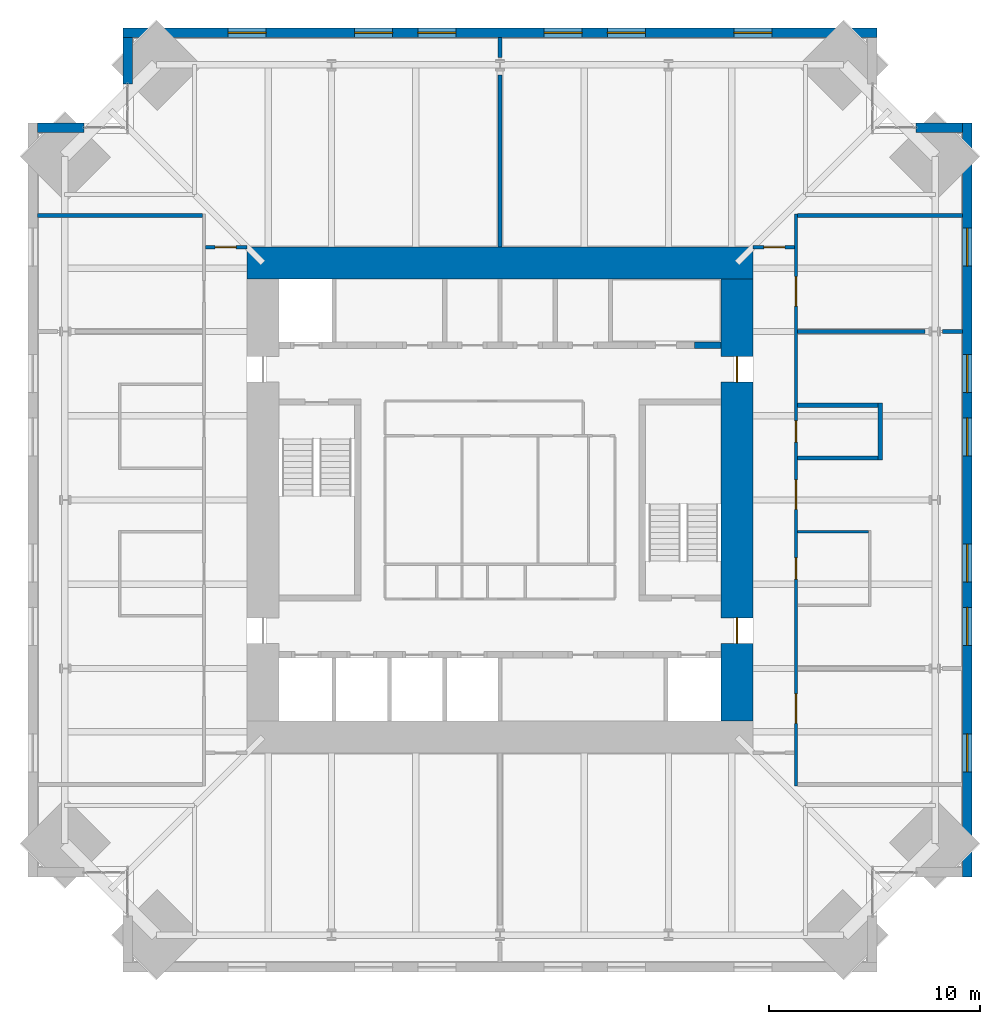
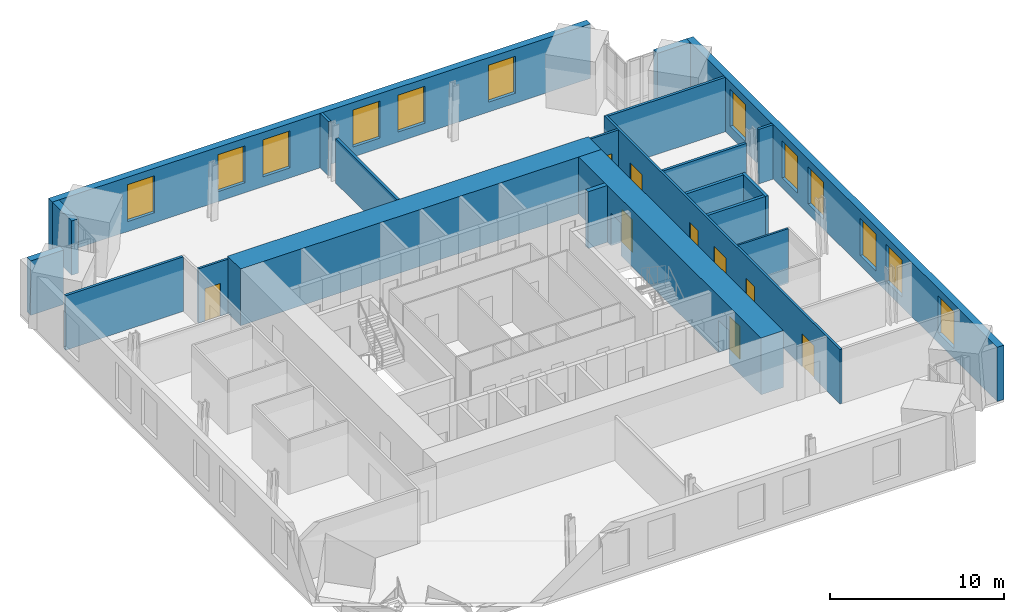
# One storey, part 15 of 17: 21 walls, 12 windows, 9 doors, 21 openings.
"""IFC4 building model written with IfcOpenShell, lengths in metres."""

import ifcopenshell
import ifcopenshell.guid

model = None  # the IFC model being written
_history = None  # IfcOwnerHistory: only IFC2X3 demands one
_inside = {}  # id of a spatial element -> (the spatial element, [elements in it])
_under = {}  # id of a project, library or spatial element -> (it, [spatial elements below it])
_declared = {}  # id of a project -> (the project, [libraries it declares])
_typed = {}  # id of a type object -> (the type object, [elements of that type])
_made_of = {}  # id of a material, layer set ... -> (it, [elements and type objects made of it])


def new_model(schema):
    """Start an empty IFC model of exactly this schema.

    Asked for "IFC4X3", IfcOpenShell would pick the latest addendum, in which some entities
    have other attributes; the version numbers below select the first issue.
    IFC2X3 requires an IfcOwnerHistory on every rooted entity: one is made here for all.
    """
    global model, _history
    if schema == "IFC4X3":
        model = ifcopenshell.file(schema_version=(4, 3, 0, 0))
    else:
        model = ifcopenshell.file(schema=schema)
    _inside.clear()
    _under.clear()
    _declared.clear()
    _typed.clear()
    _made_of.clear()
    _history = None
    if model.schema == "IFC2X3":
        org = make("IfcOrganization", Name="unknown")
        user = make(
            "IfcPersonAndOrganization",
            ThePerson=make("IfcPerson", FamilyName="unknown"),
            TheOrganization=org,
        )
        app = make(
            "IfcApplication",
            ApplicationDeveloper=org,
            Version="unknown",
            ApplicationFullName="unknown",
            ApplicationIdentifier="unknown",
        )
        _history = make(
            "IfcOwnerHistory",
            OwningUser=user,
            OwningApplication=app,
            ChangeAction="ADDED",
            CreationDate=0,
        )
    return model


def make(cls, **values):
    """One entity of the class cls with the attributes given. An attribute that is None is left unset."""
    return model.create_entity(
        cls, **{name: value for name, value in values.items() if value is not None}
    )


def rooted(cls, **values):
    """An entity with a GlobalId (a new one), such as an element, a storey or a relation."""
    return make(cls, GlobalId=ifcopenshell.guid.new(), OwnerHistory=_history, **values)


def si_unit(unit_type, name, prefix=None):
    """IfcSIUnit, for example si_unit("LENGTHUNIT", "METRE", prefix="MILLI")."""
    return make("IfcSIUnit", UnitType=unit_type, Prefix=prefix, Name=name)


def assignment(units):
    """IfcUnitAssignment: the units of a project."""
    return None if units is None else make("IfcUnitAssignment", Units=units)


def point(xyz):
    """IfcCartesianPoint."""
    return None if xyz is None else make("IfcCartesianPoint", Coordinates=xyz)


def direction(xyz):
    """IfcDirection."""
    return None if xyz is None else make("IfcDirection", DirectionRatios=xyz)


def frame(location, z_axis=None, x_axis=None):
    """IfcAxis2Placement3D, a coordinate frame: its origin and axes. An axis left out is left unset."""
    return make(
        "IfcAxis2Placement3D",
        Location=point(location),
        Axis=direction(z_axis),
        RefDirection=direction(x_axis),
    )


def frame_2d(location, x_axis=None):
    """IfcAxis2Placement2D, a coordinate frame in the plane: its origin and x axis."""
    return make(
        "IfcAxis2Placement2D", Location=point(location), RefDirection=direction(x_axis)
    )


def origin():
    """The frame at (0, 0, 0) with its axes left unset."""
    return frame((0.0, 0.0, 0.0))


def place(relative_to, where):
    """IfcLocalPlacement: puts the frame where relative to a parent placement (None: the world)."""
    return make(
        "IfcLocalPlacement", PlacementRelTo=relative_to, RelativePlacement=where
    )


def context(
    kind, dimensions, precision=None, world=None, true_north=None, identifier=None
):
    """IfcGeometricRepresentationContext, for example the 3D "Model" context."""
    return make(
        "IfcGeometricRepresentationContext",
        ContextIdentifier=identifier,
        ContextType=kind,
        CoordinateSpaceDimension=dimensions,
        Precision=precision,
        WorldCoordinateSystem=world,
        TrueNorth=true_north,
    )


def subcontext(parent, identifier, kind, view, scale=None):
    """IfcGeometricRepresentationSubContext, for example "Body" below "Model"."""
    return make(
        "IfcGeometricRepresentationSubContext",
        ContextIdentifier=identifier,
        ContextType=kind,
        ParentContext=parent,
        TargetScale=scale,
        TargetView=view,
    )


def project(units=None, contexts=None):
    """IfcProject with its units and contexts."""
    return rooted(
        "IfcProject",
        Name="project",
        RepresentationContexts=contexts,
        UnitsInContext=assignment(units),
    )


def spatial(cls, under=None, at=None, **own):
    """A site, building, storey or space (cls), placed at a placement, below another one or the project."""
    s = rooted(cls, ObjectPlacement=at, **own)
    if under is not None:
        _under.setdefault(under.id(), (under, []))[1].append(s)
    return s


def profile(cls, at=None, kind="AREA", **sizes):
    """A parametric profile (cls). Its sizes go by their IFC names, for example OverallWidth=200.0."""
    return make(cls, ProfileType=kind, Position=at, **sizes)


def rectangle(**sizes):
    """IfcRectangleProfileDef."""
    return profile("IfcRectangleProfileDef", **sizes)


def extrude(swept, where, along, depth):
    """IfcExtrudedAreaSolid: the profile swept, set in the frame where, extruded along a direction by depth."""
    return make(
        "IfcExtrudedAreaSolid",
        SweptArea=swept,
        Position=where,
        ExtrudedDirection=direction(along),
        Depth=depth,
    )


def shape(context_of_items, identifier, shape_type, items):
    """IfcShapeRepresentation: the items that make up one representation, for example the "Body"."""
    return make(
        "IfcShapeRepresentation",
        ContextOfItems=context_of_items,
        RepresentationIdentifier=identifier,
        RepresentationType=shape_type,
        Items=items,
    )


def material(Name=None, Category=None):
    """IfcMaterial."""
    return make("IfcMaterial", Name=Name, Category=Category)


def layer(
    of_material, thickness, ventilated=None, Name=None, Category=None, Priority=None
):
    """IfcMaterialLayer: one layer of a wall or slab, of a material (None: an air gap)."""
    return make(
        "IfcMaterialLayer",
        Material=of_material,
        LayerThickness=thickness,
        IsVentilated=ventilated,
        Name=Name,
        Category=Category,
        Priority=Priority,
    )


def layer_set(layers, Name=None):
    """IfcMaterialLayerSet."""
    return make("IfcMaterialLayerSet", MaterialLayers=layers, LayerSetName=Name)


def made_of(thing, what):
    """Note that an element or type object is made of a material, layer set ...; save() writes the relation."""
    if what is not None:
        _made_of.setdefault(what.id(), (what, []))[1].append(thing)
    return thing


def type_object(cls, material=None, **own):
    """A type object (cls), such as IfcWallType, which elements share."""
    return made_of(rooted(cls, **own), material)


def element(
    cls,
    number,
    at=None,
    inside=None,
    cuts=None,
    type_object=None,
    material=None,
    context=None,
    identifier="Body",
    shape_type=None,
    held_by="IfcProductDefinitionShape",
    body=None,
    shapes=None,
    **own,
):
    """One element of the class cls, such as IfcWall. Its Tag is "e" and its number.

    at: its placement. inside: the storey or other place that contains it. cuts: it is an
    opening in that element (IfcRelVoidsElement). A single representation is given by context,
    identifier, shape_type and body (its items); several are given by shapes. held_by: the class
    of the entity that holds the representations. save() writes the other relations.
    """
    e = rooted(cls, Tag="e%d" % number, ObjectPlacement=at, **own)
    if body is not None:
        shapes = [shape(context, identifier, shape_type, body)]
    if shapes is not None:
        e.Representation = make(held_by, Representations=shapes)
    if inside is not None:
        _inside.setdefault(inside.id(), (inside, []))[1].append(e)
    if cuts is not None:
        rooted(
            "IfcRelVoidsElement", RelatingBuildingElement=cuts, RelatedOpeningElement=e
        )
    if type_object is not None:
        _typed.setdefault(type_object.id(), (type_object, []))[1].append(e)
    return made_of(e, material)


def fill(opening, filler):
    """IfcRelFillsElement: the door or window that sits in an opening."""
    return rooted(
        "IfcRelFillsElement",
        RelatingOpeningElement=opening,
        RelatedBuildingElement=filler,
    )


def aggregate(whole, parts):
    """IfcRelAggregates: a whole, such as a stair, and the parts it consists of."""
    return rooted("IfcRelAggregates", RelatingObject=whole, RelatedObjects=parts)


def save(model, path):
    """Write the relations noted so far, then the file.

    IfcRelAggregates (storeys below a building ...), IfcRelContainedInSpatialStructure (elements
    in a storey), IfcRelDefinesByType, IfcRelAssociatesMaterial and IfcRelDeclares: one each for
    every whole, place, type object, material and project.
    """
    for whole, parts in _under.values():
        aggregate(whole, parts)
    for where, things in _inside.values():
        rooted(
            "IfcRelContainedInSpatialStructure",
            RelatedElements=things,
            RelatingStructure=where,
        )
    for kind, things in _typed.values():
        rooted("IfcRelDefinesByType", RelatedObjects=things, RelatingType=kind)
    for what, things in _made_of.values():
        rooted("IfcRelAssociatesMaterial", RelatedObjects=things, RelatingMaterial=what)
    for by, libraries in _declared.values():
        rooted("IfcRelDeclares", RelatingContext=by, RelatedDefinitions=libraries)
    model.write(path)


model = new_model("IFC4")

# Units and contexts
model_context = context("Model", 3, precision=1e-05, world=origin(), true_north=direction((0.0, 1.0)))
body_context = subcontext(model_context, "Body", "Model", "MODEL_VIEW")
ifc_project = project(units=[si_unit("LENGTHUNIT", "METRE"), si_unit("AREAUNIT", "SQUARE_METRE"), si_unit("VOLUMEUNIT", "CUBIC_METRE"), si_unit("PLANEANGLEUNIT", "RADIAN"), si_unit("MASSUNIT", "GRAM", prefix="KILO")], contexts=[model_context])

# Site, building, storey
site_placement = place(None, origin())
site = spatial("IfcSite", under=ifc_project, at=site_placement, CompositionType="ELEMENT")
building_placement = place(site_placement, origin())
building = spatial("IfcBuilding", under=site, at=building_placement, Name="Peilmerk Tower", CompositionType="ELEMENT")
storey_placement = place(building_placement, frame((0.0, 0.0, 253.800048828125)))
storey = spatial("IfcBuildingStorey", under=building, at=storey_placement, Name="L56", CompositionType="ELEMENT", Elevation=253.800048828125)

# Wall, openings, windows
ifc_material_1 = material(Name="Precast concrete C45/55, board-marked finish", Category="concrete")
ifc_layer_1 = layer(ifc_material_1, 0.449951171875)
ifc_layer_set_1 = layer_set([ifc_layer_1], Name="Precast concrete C45/55, board-marked finish")
wall_type_1 = type_object("IfcWallType", Name="EW1 450 precast concrete facade wall, board-marked", PredefinedType="SOLIDWALL", material=ifc_layer_set_1)
wall_1_placement = place(storey_placement, frame((17.89990234375, 22.175048828125, 0.0), z_axis=(0.0, 0.0, 1.0), x_axis=(-1.0, 0.0, 0.0)))
wall_1 = element("IfcWall", 1, at=wall_1_placement, inside=storey, type_object=wall_type_1, Name="Facade wall N L56", PredefinedType="SOLIDWALL", context=body_context, shape_type="SweptSolid", body=[
    extrude(rectangle(XDim=35.7998046875, YDim=0.449951171875, at=frame_2d((17.89990234375, 0.0))), origin(), (0.0, 0.0, 1.0), 3.829833984375),
])
opening_1_placement = place(wall_1_placement, frame((5.0, 0.0, 0.699951171875)))
opening_1 = element("IfcOpeningElement", 2, at=opening_1_placement, cuts=wall_1, Name="Opening W1", PredefinedType="OPENING", context=body_context, shape_type="SweptSolid", body=[
    extrude(rectangle(XDim=1.800048828125, YDim=2.60009765625, at=frame_2d((0.89990234375, 1.300048828125))), frame((0.0, 0.23486328125, 0.0), z_axis=(0.0, -1.0, 0.0), x_axis=(1.0, 0.0, 0.0)), (0.0, 0.0, 1.0), 0.469970703125),
])
opening_2_placement = place(wall_1_placement, frame((11.0, 0.0, 0.699951171875)))
opening_2 = element("IfcOpeningElement", 3, at=opening_2_placement, cuts=wall_1, Name="Opening W1", PredefinedType="OPENING", context=body_context, shape_type="SweptSolid", body=[
    extrude(rectangle(XDim=1.800048828125, YDim=2.60009765625, at=frame_2d((0.89990234375, 1.300048828125))), frame((0.0, 0.23486328125, 0.0), z_axis=(0.0, -1.0, 0.0), x_axis=(1.0, 0.0, 0.0)), (0.0, 0.0, 1.0), 0.469970703125),
])
opening_3_placement = place(wall_1_placement, frame((14.0, 0.0, 0.699951171875)))
opening_3 = element("IfcOpeningElement", 4, at=opening_3_placement, cuts=wall_1, Name="Opening W1", PredefinedType="OPENING", context=body_context, shape_type="SweptSolid", body=[
    extrude(rectangle(XDim=1.800048828125, YDim=2.60009765625, at=frame_2d((0.89990234375, 1.300048828125))), frame((0.0, 0.23486328125, 0.0), z_axis=(0.0, -1.0, 0.0), x_axis=(1.0, 0.0, 0.0)), (0.0, 0.0, 1.0), 0.469970703125),
])
opening_4_placement = place(wall_1_placement, frame((20.0, 0.0, 0.699951171875)))
opening_4 = element("IfcOpeningElement", 5, at=opening_4_placement, cuts=wall_1, Name="Opening W1", PredefinedType="OPENING", context=body_context, shape_type="SweptSolid", body=[
    extrude(rectangle(XDim=1.800048828125, YDim=2.60009765625, at=frame_2d((0.89990234375, 1.300048828125))), frame((0.0, 0.23486328125, 0.0), z_axis=(0.0, -1.0, 0.0), x_axis=(1.0, 0.0, 0.0)), (0.0, 0.0, 1.0), 0.469970703125),
])
opening_5_placement = place(wall_1_placement, frame((23.0, 0.0, 0.699951171875)))
opening_5 = element("IfcOpeningElement", 6, at=opening_5_placement, cuts=wall_1, Name="Opening W1", PredefinedType="OPENING", context=body_context, shape_type="SweptSolid", body=[
    extrude(rectangle(XDim=1.800048828125, YDim=2.60009765625, at=frame_2d((0.89990234375, 1.300048828125))), frame((0.0, 0.23486328125, 0.0), z_axis=(0.0, -1.0, 0.0), x_axis=(1.0, 0.0, 0.0)), (0.0, 0.0, 1.0), 0.469970703125),
])
opening_6_placement = place(wall_1_placement, frame((29.0, 0.0, 0.699951171875)))
opening_6 = element("IfcOpeningElement", 7, at=opening_6_placement, cuts=wall_1, Name="Opening W1", PredefinedType="OPENING", context=body_context, shape_type="SweptSolid", body=[
    extrude(rectangle(XDim=1.800048828125, YDim=2.60009765625, at=frame_2d((0.89990234375, 1.300048828125))), frame((0.0, 0.23486328125, 0.0), z_axis=(0.0, -1.0, 0.0), x_axis=(1.0, 0.0, 0.0)), (0.0, 0.0, 1.0), 0.469970703125),
])
ifc_material_2 = material(Name="Aluminium frame, clear double glazing", Category="aluminium")
window_type = type_object("IfcWindowType", Name="W1 1800x2600 office window", PartitioningType="SINGLE_PANEL", PredefinedType="WINDOW", material=ifc_material_2)
window_1_placement = place(opening_1_placement, origin())
window_1 = element("IfcWindow", 8, at=window_1_placement, inside=storey, type_object=window_type, Name="Window W1 L56", OverallHeight=2.60009765625, OverallWidth=1.800048828125, PartitioningType="SINGLE_PANEL", PredefinedType="WINDOW", context=body_context, shape_type="SweptSolid", body=[
    extrude(rectangle(XDim=1.800048828125, YDim=2.60009765625, at=frame_2d((0.89990234375, 1.300048828125))), frame((0.0, 0.030029296875, 0.0), z_axis=(0.0, -1.0, 0.0), x_axis=(1.0, 0.0, 0.0)), (0.0, 0.0, 1.0), 0.06005859375),
])
fill(opening_1, window_1)
window_2_placement = place(opening_2_placement, origin())
window_2 = element("IfcWindow", 9, at=window_2_placement, inside=storey, type_object=window_type, Name="Window W1 L56", OverallHeight=2.60009765625, OverallWidth=1.800048828125, PartitioningType="SINGLE_PANEL", PredefinedType="WINDOW", context=body_context, shape_type="SweptSolid", body=[
    extrude(rectangle(XDim=1.800048828125, YDim=2.60009765625, at=frame_2d((0.89990234375, 1.300048828125))), frame((0.0, 0.030029296875, 0.0), z_axis=(0.0, -1.0, 0.0), x_axis=(1.0, 0.0, 0.0)), (0.0, 0.0, 1.0), 0.06005859375),
])
fill(opening_2, window_2)
window_3_placement = place(opening_3_placement, origin())
window_3 = element("IfcWindow", 10, at=window_3_placement, inside=storey, type_object=window_type, Name="Window W1 L56", OverallHeight=2.60009765625, OverallWidth=1.800048828125, PartitioningType="SINGLE_PANEL", PredefinedType="WINDOW", context=body_context, shape_type="SweptSolid", body=[
    extrude(rectangle(XDim=1.800048828125, YDim=2.60009765625, at=frame_2d((0.89990234375, 1.300048828125))), frame((0.0, 0.030029296875, 0.0), z_axis=(0.0, -1.0, 0.0), x_axis=(1.0, 0.0, 0.0)), (0.0, 0.0, 1.0), 0.06005859375),
])
fill(opening_3, window_3)
window_4_placement = place(opening_4_placement, origin())
window_4 = element("IfcWindow", 11, at=window_4_placement, inside=storey, type_object=window_type, Name="Window W1 L56", OverallHeight=2.60009765625, OverallWidth=1.800048828125, PartitioningType="SINGLE_PANEL", PredefinedType="WINDOW", context=body_context, shape_type="SweptSolid", body=[
    extrude(rectangle(XDim=1.800048828125, YDim=2.60009765625, at=frame_2d((0.89990234375, 1.300048828125))), frame((0.0, 0.030029296875, 0.0), z_axis=(0.0, -1.0, 0.0), x_axis=(1.0, 0.0, 0.0)), (0.0, 0.0, 1.0), 0.06005859375),
])
fill(opening_4, window_4)
window_5_placement = place(opening_5_placement, origin())
window_5 = element("IfcWindow", 12, at=window_5_placement, inside=storey, type_object=window_type, Name="Window W1 L56", OverallHeight=2.60009765625, OverallWidth=1.800048828125, PartitioningType="SINGLE_PANEL", PredefinedType="WINDOW", context=body_context, shape_type="SweptSolid", body=[
    extrude(rectangle(XDim=1.800048828125, YDim=2.60009765625, at=frame_2d((0.89990234375, 1.300048828125))), frame((0.0, 0.030029296875, 0.0), z_axis=(0.0, -1.0, 0.0), x_axis=(1.0, 0.0, 0.0)), (0.0, 0.0, 1.0), 0.06005859375),
])
fill(opening_5, window_5)
window_6_placement = place(opening_6_placement, origin())
window_6 = element("IfcWindow", 13, at=window_6_placement, inside=storey, type_object=window_type, Name="Window W1 L56", OverallHeight=2.60009765625, OverallWidth=1.800048828125, PartitioningType="SINGLE_PANEL", PredefinedType="WINDOW", context=body_context, shape_type="SweptSolid", body=[
    extrude(rectangle(XDim=1.800048828125, YDim=2.60009765625, at=frame_2d((0.89990234375, 1.300048828125))), frame((0.0, 0.030029296875, 0.0), z_axis=(0.0, -1.0, 0.0), x_axis=(1.0, 0.0, 0.0)), (0.0, 0.0, 1.0), 0.06005859375),
])
fill(opening_6, window_6)

wall_2_placement = place(storey_placement, frame((22.175048828125, -17.89990234375, 0.0), z_axis=(0.0, 0.0, 1.0), x_axis=(0.0, 1.0, 0.0)))
wall_2 = element("IfcWall", 14, at=wall_2_placement, inside=storey, type_object=wall_type_1, Name="Facade wall E L56", PredefinedType="SOLIDWALL", context=body_context, shape_type="SweptSolid", body=[
    extrude(rectangle(XDim=35.7998046875, YDim=0.449951171875, at=frame_2d((17.89990234375, 0.0))), origin(), (0.0, 0.0, 1.0), 3.829833984375),
])
opening_7_placement = place(wall_2_placement, frame((5.0, 0.0, 0.699951171875)))
opening_7 = element("IfcOpeningElement", 15, at=opening_7_placement, cuts=wall_2, Name="Opening W1", PredefinedType="OPENING", context=body_context, shape_type="SweptSolid", body=[
    extrude(rectangle(XDim=1.800048828125, YDim=2.60009765625, at=frame_2d((0.89990234375, 1.300048828125))), frame((0.0, 0.23486328125, 0.0), z_axis=(0.0, -1.0, 0.0), x_axis=(1.0, 0.0, 0.0)), (0.0, 0.0, 1.0), 0.469970703125),
])
opening_8_placement = place(wall_2_placement, frame((11.0, 0.0, 0.699951171875)))
opening_8 = element("IfcOpeningElement", 16, at=opening_8_placement, cuts=wall_2, Name="Opening W1", PredefinedType="OPENING", context=body_context, shape_type="SweptSolid", body=[
    extrude(rectangle(XDim=1.800048828125, YDim=2.60009765625, at=frame_2d((0.89990234375, 1.300048828125))), frame((0.0, 0.23486328125, 0.0), z_axis=(0.0, -1.0, 0.0), x_axis=(1.0, 0.0, 0.0)), (0.0, 0.0, 1.0), 0.469970703125),
])
opening_9_placement = place(wall_2_placement, frame((14.0, 0.0, 0.699951171875)))
opening_9 = element("IfcOpeningElement", 17, at=opening_9_placement, cuts=wall_2, Name="Opening W1", PredefinedType="OPENING", context=body_context, shape_type="SweptSolid", body=[
    extrude(rectangle(XDim=1.800048828125, YDim=2.60009765625, at=frame_2d((0.89990234375, 1.300048828125))), frame((0.0, 0.23486328125, 0.0), z_axis=(0.0, -1.0, 0.0), x_axis=(1.0, 0.0, 0.0)), (0.0, 0.0, 1.0), 0.469970703125),
])
opening_10_placement = place(wall_2_placement, frame((20.0, 0.0, 0.699951171875)))
opening_10 = element("IfcOpeningElement", 18, at=opening_10_placement, cuts=wall_2, Name="Opening W1", PredefinedType="OPENING", context=body_context, shape_type="SweptSolid", body=[
    extrude(rectangle(XDim=1.800048828125, YDim=2.60009765625, at=frame_2d((0.89990234375, 1.300048828125))), frame((0.0, 0.23486328125, 0.0), z_axis=(0.0, -1.0, 0.0), x_axis=(1.0, 0.0, 0.0)), (0.0, 0.0, 1.0), 0.469970703125),
])
opening_11_placement = place(wall_2_placement, frame((23.0, 0.0, 0.699951171875)))
opening_11 = element("IfcOpeningElement", 19, at=opening_11_placement, cuts=wall_2, Name="Opening W1", PredefinedType="OPENING", context=body_context, shape_type="SweptSolid", body=[
    extrude(rectangle(XDim=1.800048828125, YDim=2.60009765625, at=frame_2d((0.89990234375, 1.300048828125))), frame((0.0, 0.23486328125, 0.0), z_axis=(0.0, -1.0, 0.0), x_axis=(1.0, 0.0, 0.0)), (0.0, 0.0, 1.0), 0.469970703125),
])
opening_12_placement = place(wall_2_placement, frame((29.0, 0.0, 0.699951171875)))
opening_12 = element("IfcOpeningElement", 20, at=opening_12_placement, cuts=wall_2, Name="Opening W1", PredefinedType="OPENING", context=body_context, shape_type="SweptSolid", body=[
    extrude(rectangle(XDim=1.800048828125, YDim=2.60009765625, at=frame_2d((0.89990234375, 1.300048828125))), frame((0.0, 0.23486328125, 0.0), z_axis=(0.0, -1.0, 0.0), x_axis=(1.0, 0.0, 0.0)), (0.0, 0.0, 1.0), 0.469970703125),
])
window_7_placement = place(opening_7_placement, origin())
window_7 = element("IfcWindow", 21, at=window_7_placement, inside=storey, type_object=window_type, Name="Window W1 L56", OverallHeight=2.60009765625, OverallWidth=1.800048828125, PartitioningType="SINGLE_PANEL", PredefinedType="WINDOW", context=body_context, shape_type="SweptSolid", body=[
    extrude(rectangle(XDim=1.800048828125, YDim=2.60009765625, at=frame_2d((0.89990234375, 1.300048828125))), frame((0.0, 0.030029296875, 0.0), z_axis=(0.0, -1.0, 0.0), x_axis=(1.0, 0.0, 0.0)), (0.0, 0.0, 1.0), 0.06005859375),
])
fill(opening_7, window_7)
window_8_placement = place(opening_8_placement, origin())
window_8 = element("IfcWindow", 22, at=window_8_placement, inside=storey, type_object=window_type, Name="Window W1 L56", OverallHeight=2.60009765625, OverallWidth=1.800048828125, PartitioningType="SINGLE_PANEL", PredefinedType="WINDOW", context=body_context, shape_type="SweptSolid", body=[
    extrude(rectangle(XDim=1.800048828125, YDim=2.60009765625, at=frame_2d((0.89990234375, 1.300048828125))), frame((0.0, 0.030029296875, 0.0), z_axis=(0.0, -1.0, 0.0), x_axis=(1.0, 0.0, 0.0)), (0.0, 0.0, 1.0), 0.06005859375),
])
fill(opening_8, window_8)
window_9_placement = place(opening_9_placement, origin())
window_9 = element("IfcWindow", 23, at=window_9_placement, inside=storey, type_object=window_type, Name="Window W1 L56", OverallHeight=2.60009765625, OverallWidth=1.800048828125, PartitioningType="SINGLE_PANEL", PredefinedType="WINDOW", context=body_context, shape_type="SweptSolid", body=[
    extrude(rectangle(XDim=1.800048828125, YDim=2.60009765625, at=frame_2d((0.89990234375, 1.300048828125))), frame((0.0, 0.030029296875, 0.0), z_axis=(0.0, -1.0, 0.0), x_axis=(1.0, 0.0, 0.0)), (0.0, 0.0, 1.0), 0.06005859375),
])
fill(opening_9, window_9)
window_10_placement = place(opening_10_placement, origin())
window_10 = element("IfcWindow", 24, at=window_10_placement, inside=storey, type_object=window_type, Name="Window W1 L56", OverallHeight=2.60009765625, OverallWidth=1.800048828125, PartitioningType="SINGLE_PANEL", PredefinedType="WINDOW", context=body_context, shape_type="SweptSolid", body=[
    extrude(rectangle(XDim=1.800048828125, YDim=2.60009765625, at=frame_2d((0.89990234375, 1.300048828125))), frame((0.0, 0.030029296875, 0.0), z_axis=(0.0, -1.0, 0.0), x_axis=(1.0, 0.0, 0.0)), (0.0, 0.0, 1.0), 0.06005859375),
])
fill(opening_10, window_10)
window_11_placement = place(opening_11_placement, origin())
window_11 = element("IfcWindow", 25, at=window_11_placement, inside=storey, type_object=window_type, Name="Window W1 L56", OverallHeight=2.60009765625, OverallWidth=1.800048828125, PartitioningType="SINGLE_PANEL", PredefinedType="WINDOW", context=body_context, shape_type="SweptSolid", body=[
    extrude(rectangle(XDim=1.800048828125, YDim=2.60009765625, at=frame_2d((0.89990234375, 1.300048828125))), frame((0.0, 0.030029296875, 0.0), z_axis=(0.0, -1.0, 0.0), x_axis=(1.0, 0.0, 0.0)), (0.0, 0.0, 1.0), 0.06005859375),
])
fill(opening_11, window_11)
window_12_placement = place(opening_12_placement, origin())
window_12 = element("IfcWindow", 26, at=window_12_placement, inside=storey, type_object=window_type, Name="Window W1 L56", OverallHeight=2.60009765625, OverallWidth=1.800048828125, PartitioningType="SINGLE_PANEL", PredefinedType="WINDOW", context=body_context, shape_type="SweptSolid", body=[
    extrude(rectangle(XDim=1.800048828125, YDim=2.60009765625, at=frame_2d((0.89990234375, 1.300048828125))), frame((0.0, 0.030029296875, 0.0), z_axis=(0.0, -1.0, 0.0), x_axis=(1.0, 0.0, 0.0)), (0.0, 0.0, 1.0), 0.06005859375),
])
fill(opening_12, window_12)

# Walls
for number, where, z_axis, x_axis, name in (
    (27, (19.753662109375, 17.675048828125, 0.0), (0.0, 0.0, 1.0), (1.0, 0.0, 0.0), "Facade wall NEB L56"),
    (28, (-17.675048828125, 19.753662109375, 0.0), (0.0, 0.0, 1.0), (0.0, 1.0, 0.0), "Facade wall NWA L56"),
    (29, (-19.753662109375, 17.675048828125, 0.0), (0.0, 0.0, 1.0), (-1.0, 0.0, 0.0), "Facade wall NWB L56"),
):
    element("IfcWall", number, at=place(storey_placement, frame(where, z_axis=z_axis, x_axis=x_axis)), inside=storey, type_object=wall_type_1, Name=name, PredefinedType="SOLIDWALL", context=body_context, shape_type="SweptSolid", body=[
        extrude(rectangle(XDim=2.1962890625, YDim=0.449951171875, at=frame_2d((1.09814453125, 0.0))), origin(), (0.0, 0.0, 1.0), 3.829833984375),
    ])

# Wall, openings, doors
ifc_material_3 = material(Name="Calcium silicate block", Category="masonry")
ifc_layer_2 = layer(ifc_material_3, 0.14990234375)
ifc_layer_set_2 = layer_set([ifc_layer_2], Name="Calcium silicate block")
wall_type_2 = type_object("IfcWallType", Name="IW1 150 corridor partition, EI 60", PredefinedType="PARTITIONING", material=ifc_layer_set_2)
wall_3_placement = place(storey_placement, frame((14.050048828125, -13.574951171875, 0.0), z_axis=(0.0, 0.0, 1.0), x_axis=(0.0, 1.0, 0.0)))
wall_3 = element("IfcWall", 30, at=wall_3_placement, inside=storey, type_object=wall_type_2, Name="Corridor wall E L56", PredefinedType="PARTITIONING", context=body_context, shape_type="SweptSolid", body=[
    extrude(rectangle(XDim=27.14990234375, YDim=0.14990234375, at=frame_2d((13.574951171875, 0.0))), origin(), (0.0, 0.0, 1.0), 3.829833984375),
])
opening_13_placement = place(wall_3_placement, frame((2.97509765625, 0.0, 0.0)))
opening_13 = element("IfcOpeningElement", 31, at=opening_13_placement, cuts=wall_3, Name="Opening D8", PredefinedType="OPENING", context=body_context, shape_type="SweptSolid", body=[
    extrude(rectangle(XDim=1.39990234375, YDim=2.300048828125, at=frame_2d((0.699951171875, 1.14990234375))), frame((0.0, 0.0849609375, 0.0), z_axis=(0.0, -1.0, 0.0), x_axis=(1.0, 0.0, 0.0)), (0.0, 0.0, 1.0), 0.169921875),
])
opening_14_placement = place(wall_3_placement, frame((13.125, 0.0, 0.0)))
opening_14 = element("IfcOpeningElement", 32, at=opening_14_placement, cuts=wall_3, Name="Opening D8", PredefinedType="OPENING", context=body_context, shape_type="SweptSolid", body=[
    extrude(rectangle(XDim=1.39990234375, YDim=2.300048828125, at=frame_2d((0.699951171875, 1.14990234375))), frame((0.0, 0.0849609375, 0.0), z_axis=(0.0, -1.0, 0.0), x_axis=(1.0, 0.0, 0.0)), (0.0, 0.0, 1.0), 0.169921875),
])
opening_15_placement = place(wall_3_placement, frame((22.77490234375, 0.0, 0.0)))
opening_15 = element("IfcOpeningElement", 33, at=opening_15_placement, cuts=wall_3, Name="Opening D8", PredefinedType="OPENING", context=body_context, shape_type="SweptSolid", body=[
    extrude(rectangle(XDim=1.39990234375, YDim=2.300048828125, at=frame_2d((0.699951171875, 1.14990234375))), frame((0.0, 0.0849609375, 0.0), z_axis=(0.0, -1.0, 0.0), x_axis=(1.0, 0.0, 0.0)), (0.0, 0.0, 1.0), 0.169921875),
])
opening_16_placement = place(wall_3_placement, frame((9.824951171875, 0.0, 0.0)))
opening_16 = element("IfcOpeningElement", 34, at=opening_16_placement, cuts=wall_3, Name="Opening D1", PredefinedType="OPENING", context=body_context, shape_type="SweptSolid", body=[
    extrude(rectangle(XDim=1.0, YDim=2.300048828125, at=frame_2d((0.5, 1.14990234375))), frame((0.0, 0.0849609375, 0.0), z_axis=(0.0, -1.0, 0.0), x_axis=(1.0, 0.0, 0.0)), (0.0, 0.0, 1.0), 0.169921875),
])
opening_17_placement = place(wall_3_placement, frame((16.324951171875, 0.0, 0.0)))
opening_17 = element("IfcOpeningElement", 35, at=opening_17_placement, cuts=wall_3, Name="Opening D1", PredefinedType="OPENING", context=body_context, shape_type="SweptSolid", body=[
    extrude(rectangle(XDim=1.0, YDim=2.300048828125, at=frame_2d((0.5, 1.14990234375))), frame((0.0, 0.0849609375, 0.0), z_axis=(0.0, -1.0, 0.0), x_axis=(1.0, 0.0, 0.0)), (0.0, 0.0, 1.0), 0.169921875),
])
ifc_material_4 = material(Name="Timber door in steel frame", Category="steel")
door_type_1 = type_object("IfcDoorType", Name="D1 1000x2300 room door, EI2 30", OperationType="SINGLE_SWING_LEFT", PredefinedType="DOOR", material=ifc_material_4)
door_1_placement = place(opening_16_placement, frame((1.0, 0.0, 0.0), z_axis=(0.0, 0.0, 1.0), x_axis=(-1.0, 0.0, 0.0)))
door_1 = element("IfcDoor", 36, at=door_1_placement, inside=storey, type_object=door_type_1, Name="Door Pantry L56", OperationType="SINGLE_SWING_LEFT", OverallHeight=2.300048828125, OverallWidth=1.0, PredefinedType="DOOR", context=body_context, shape_type="SweptSolid", body=[
    extrude(rectangle(XDim=1.0, YDim=2.300048828125, at=frame_2d((0.5, 1.14990234375))), frame((0.0, 0.02490234375, 0.0), z_axis=(0.0, -1.0, 0.0), x_axis=(1.0, 0.0, 0.0)), (0.0, 0.0, 1.0), 0.050048828125),
])
fill(opening_16, door_1)
door_2_placement = place(opening_17_placement, frame((1.0, 0.0, 0.0), z_axis=(0.0, 0.0, 1.0), x_axis=(-1.0, 0.0, 0.0)))
door_2 = element("IfcDoor", 37, at=door_2_placement, inside=storey, type_object=door_type_1, Name="Door Print room L56", OperationType="SINGLE_SWING_LEFT", OverallHeight=2.300048828125, OverallWidth=1.0, PredefinedType="DOOR", context=body_context, shape_type="SweptSolid", body=[
    extrude(rectangle(XDim=1.0, YDim=2.300048828125, at=frame_2d((0.5, 1.14990234375))), frame((0.0, 0.02490234375, 0.0), z_axis=(0.0, -1.0, 0.0), x_axis=(1.0, 0.0, 0.0)), (0.0, 0.0, 1.0), 0.050048828125),
])
fill(opening_17, door_2)
door_type_2 = type_object("IfcDoorType", Name="D8 1400x2300 leaf-and-a-half door, EI2 30", OperationType="DOUBLE_DOOR_SINGLE_SWING", PredefinedType="DOOR", material=ifc_material_4)
door_3_placement = place(opening_13_placement, frame((1.39990234375, 0.0, 0.0), z_axis=(0.0, 0.0, 1.0), x_axis=(-1.0, 0.0, 0.0)))
door_3 = element("IfcDoor", 38, at=door_3_placement, inside=storey, type_object=door_type_2, Name="Door Tenant suite L56", OperationType="DOUBLE_DOOR_SINGLE_SWING", OverallHeight=2.300048828125, OverallWidth=1.39990234375, PredefinedType="DOOR", context=body_context, shape_type="SweptSolid", body=[
    extrude(rectangle(XDim=1.39990234375, YDim=2.300048828125, at=frame_2d((0.699951171875, 1.14990234375))), frame((0.0, 0.02490234375, 0.0), z_axis=(0.0, -1.0, 0.0), x_axis=(1.0, 0.0, 0.0)), (0.0, 0.0, 1.0), 0.050048828125),
])
fill(opening_13, door_3)
door_4_placement = place(opening_14_placement, frame((1.39990234375, 0.0, 0.0), z_axis=(0.0, 0.0, 1.0), x_axis=(-1.0, 0.0, 0.0)))
door_4 = element("IfcDoor", 39, at=door_4_placement, inside=storey, type_object=door_type_2, Name="Door Tenant suite L56", OperationType="DOUBLE_DOOR_SINGLE_SWING", OverallHeight=2.300048828125, OverallWidth=1.39990234375, PredefinedType="DOOR", context=body_context, shape_type="SweptSolid", body=[
    extrude(rectangle(XDim=1.39990234375, YDim=2.300048828125, at=frame_2d((0.699951171875, 1.14990234375))), frame((0.0, 0.02490234375, 0.0), z_axis=(0.0, -1.0, 0.0), x_axis=(1.0, 0.0, 0.0)), (0.0, 0.0, 1.0), 0.050048828125),
])
fill(opening_14, door_4)
door_5_placement = place(opening_15_placement, frame((1.39990234375, 0.0, 0.0), z_axis=(0.0, 0.0, 1.0), x_axis=(-1.0, 0.0, 0.0)))
door_5 = element("IfcDoor", 40, at=door_5_placement, inside=storey, type_object=door_type_2, Name="Door Tenant suite L56", OperationType="DOUBLE_DOOR_SINGLE_SWING", OverallHeight=2.300048828125, OverallWidth=1.39990234375, PredefinedType="DOOR", context=body_context, shape_type="SweptSolid", body=[
    extrude(rectangle(XDim=1.39990234375, YDim=2.300048828125, at=frame_2d((0.699951171875, 1.14990234375))), frame((0.0, 0.02490234375, 0.0), z_axis=(0.0, -1.0, 0.0), x_axis=(1.0, 0.0, 0.0)), (0.0, 0.0, 1.0), 0.050048828125),
])
fill(opening_15, door_5)

# Wall, opening, door
wall_4_placement = place(storey_placement, frame((12.0, 12.0, 0.0), z_axis=(0.0, 0.0, 1.0), x_axis=(1.0, 0.0, 0.0)))
wall_4 = element("IfcWall", 41, at=wall_4_placement, inside=storey, type_object=wall_type_2, Name="Corridor wall NE L56", PredefinedType="PARTITIONING", context=body_context, shape_type="SweptSolid", body=[
    extrude(rectangle(XDim=1.97509765625, YDim=0.14990234375, at=frame_2d((0.987548828125, 0.0))), origin(), (0.0, 0.0, 1.0), 3.829833984375),
])
opening_18_placement = place(wall_4_placement, frame((0.52490234375, 0.0, 0.0)))
opening_18 = element("IfcOpeningElement", 42, at=opening_18_placement, cuts=wall_4, Name="Opening D1", PredefinedType="OPENING", context=body_context, shape_type="SweptSolid", body=[
    extrude(rectangle(XDim=1.0, YDim=2.300048828125, at=frame_2d((0.5, 1.14990234375))), frame((0.0, 0.0849609375, 0.0), z_axis=(0.0, -1.0, 0.0), x_axis=(1.0, 0.0, 0.0)), (0.0, 0.0, 1.0), 0.169921875),
])
door_6_placement = place(opening_18_placement, origin())
door_6 = element("IfcDoor", 43, at=door_6_placement, inside=storey, type_object=door_type_1, Name="Door Tenant suite L56", OperationType="SINGLE_SWING_LEFT", OverallHeight=2.300048828125, OverallWidth=1.0, PredefinedType="DOOR", context=body_context, shape_type="SweptSolid", body=[
    extrude(rectangle(XDim=1.0, YDim=2.300048828125, at=frame_2d((0.5, 1.14990234375))), frame((0.0, 0.02490234375, 0.0), z_axis=(0.0, -1.0, 0.0), x_axis=(1.0, 0.0, 0.0)), (0.0, 0.0, 1.0), 0.050048828125),
])
fill(opening_18, door_6)

wall_5_placement = place(storey_placement, frame((-13.97509765625, 12.0, 0.0), z_axis=(0.0, 0.0, 1.0), x_axis=(1.0, 0.0, 0.0)))
wall_5 = element("IfcWall", 44, at=wall_5_placement, inside=storey, type_object=wall_type_2, Name="Corridor wall NW L56", PredefinedType="PARTITIONING", context=body_context, shape_type="SweptSolid", body=[
    extrude(rectangle(XDim=1.97509765625, YDim=0.14990234375, at=frame_2d((0.987548828125, 0.0))), origin(), (0.0, 0.0, 1.0), 3.829833984375),
])
opening_19_placement = place(wall_5_placement, frame((0.449951171875, 0.0, 0.0)))
opening_19 = element("IfcOpeningElement", 45, at=opening_19_placement, cuts=wall_5, Name="Opening D1", PredefinedType="OPENING", context=body_context, shape_type="SweptSolid", body=[
    extrude(rectangle(XDim=1.0, YDim=2.300048828125, at=frame_2d((0.5, 1.14990234375))), frame((0.0, 0.0849609375, 0.0), z_axis=(0.0, -1.0, 0.0), x_axis=(1.0, 0.0, 0.0)), (0.0, 0.0, 1.0), 0.169921875),
])
door_7_placement = place(opening_19_placement, origin())
door_7 = element("IfcDoor", 46, at=door_7_placement, inside=storey, type_object=door_type_1, Name="Door Tenant suite L56", OperationType="SINGLE_SWING_LEFT", OverallHeight=2.300048828125, OverallWidth=1.0, PredefinedType="DOOR", context=body_context, shape_type="SweptSolid", body=[
    extrude(rectangle(XDim=1.0, YDim=2.300048828125, at=frame_2d((0.5, 1.14990234375))), frame((0.0, 0.02490234375, 0.0), z_axis=(0.0, -1.0, 0.0), x_axis=(1.0, 0.0, 0.0)), (0.0, 0.0, 1.0), 0.050048828125),
])
fill(opening_19, door_7)

# Walls
ifc_layer_3 = layer(ifc_material_3, 0.199951171875)
ifc_layer_set_3 = layer_set([ifc_layer_3], Name="Calcium silicate block")
wall_type_3 = type_object("IfcWallType", Name="IW2 200 room separating wall, EI 120", PredefinedType="PARTITIONING", material=ifc_layer_set_3)
wall_6_placement = place(storey_placement, frame((18.050048828125, 1.89990234375, 0.0), z_axis=(0.0, 0.0, 1.0), x_axis=(0.0, 1.0, 0.0)))
element("IfcWall", 47, at=wall_6_placement, inside=storey, type_object=wall_type_3, Name="Room separating wall Print room L56", PredefinedType="PARTITIONING", context=body_context, shape_type="SweptSolid", body=[
    extrude(rectangle(XDim=2.7001953125, YDim=0.199951171875, at=frame_2d((1.35009765625, 0.0))), origin(), (0.0, 0.0, 1.0), 3.829833984375),
])
for number, where, z_axis, x_axis, name in (
    (48, (14.125, 2.0, 0.0), (0.0, 0.0, 1.0), (1.0, 0.0, 0.0), "Room separating wall Print room L56"),
    (49, (14.125, 4.5, 0.0), (0.0, 0.0, 1.0), (1.0, 0.0, 0.0), "Room separating wall Print room L56"),
):
    element("IfcWall", number, at=place(storey_placement, frame(where, z_axis=z_axis, x_axis=x_axis)), inside=storey, type_object=wall_type_3, Name=name, PredefinedType="PARTITIONING", context=body_context, shape_type="SweptSolid", body=[
        extrude(rectangle(XDim=3.824951171875, YDim=0.199951171875, at=frame_2d((1.91259765625, 0.0))), origin(), (0.0, 0.0, 1.0), 3.829833984375),
    ])
ifc_material_5 = material(Name="Plasterboard on steel studs, double boarded with mineral wool", Category="steel")
ifc_layer_4 = layer(ifc_material_5, 0.125)
ifc_layer_set_4 = layer_set([ifc_layer_4], Name="Plasterboard on steel studs, double boarded with mineral wool")
wall_type_4 = type_object("IfcWallType", Name="IW7 125 acoustic partition, EI 30", PredefinedType="PARTITIONING", material=ifc_layer_set_4)
wall_7_placement = place(storey_placement, frame((14.125, -1.5, 0.0), z_axis=(0.0, 0.0, 1.0), x_axis=(1.0, 0.0, 0.0)))
element("IfcWall", 50, at=wall_7_placement, inside=storey, type_object=wall_type_4, Name="Acoustic partition Pantry L56", PredefinedType="PARTITIONING", context=body_context, shape_type="SweptSolid", body=[
    extrude(rectangle(XDim=3.362548828125, YDim=0.125, at=frame_2d((1.68115234375, 0.0))), origin(), (0.0, 0.0, 1.0), 3.829833984375),
])
ifc_layer_5 = layer(ifc_material_3, 0.175048828125)
ifc_layer_set_5 = layer_set([ifc_layer_5], Name="Calcium silicate block")
wall_type_5 = type_object("IfcWallType", Name="IW8 175 tenant separating wall, EI 60", PredefinedType="PARTITIONING", material=ifc_layer_set_5)
for number, where, z_axis, x_axis, name in (
    (51, (14.125, 13.5, 0.0), (0.0, 0.0, 1.0), (1.0, 0.0, 0.0), "Tenant separating wall NE L56"),
    (52, (-21.949951171875, 13.5, 0.0), (0.0, 0.0, 1.0), (1.0, 0.0, 0.0), "Tenant separating wall NW L56"),
):
    element("IfcWall", number, at=place(storey_placement, frame(where, z_axis=z_axis, x_axis=x_axis)), inside=storey, type_object=wall_type_5, Name=name, PredefinedType="PARTITIONING", context=body_context, shape_type="SweptSolid", body=[
        extrude(rectangle(XDim=7.824951171875, YDim=0.175048828125, at=frame_2d((3.91259765625, 0.0))), origin(), (0.0, 0.0, 1.0), 3.829833984375),
    ])
wall_8_placement = place(storey_placement, frame((0.0, 12.0, 0.0), z_axis=(0.0, 0.0, 1.0), x_axis=(0.0, 1.0, 0.0)))
element("IfcWall", 53, at=wall_8_placement, inside=storey, type_object=wall_type_5, Name="Tenant separating wall N1 L56", PredefinedType="PARTITIONING", context=body_context, shape_type="SweptSolid", body=[
    extrude(rectangle(XDim=8.171875, YDim=0.175048828125, at=frame_2d((4.0859375, 0.0))), origin(), (0.0, 0.0, 1.0), 3.139892578125),
])
wall_9_placement = place(storey_placement, frame((0.0, 20.992431640625, 0.0), z_axis=(0.0, 0.0, 1.0), x_axis=(0.0, 1.0, 0.0)))
element("IfcWall", 54, at=wall_9_placement, inside=storey, type_object=wall_type_5, Name="Tenant separating wall N1b L56", PredefinedType="PARTITIONING", context=body_context, shape_type="SweptSolid", body=[
    extrude(rectangle(XDim=0.95751953125, YDim=0.175048828125, at=frame_2d((0.478759765625, 0.0))), origin(), (0.0, 0.0, 1.0), 3.829833984375),
])
wall_10_placement = place(storey_placement, frame((14.125, 8.0, 0.0), z_axis=(0.0, 0.0, 1.0), x_axis=(1.0, 0.0, 0.0)))
element("IfcWall", 55, at=wall_10_placement, inside=storey, type_object=wall_type_5, Name="Tenant separating wall E2 L56", PredefinedType="PARTITIONING", context=body_context, shape_type="SweptSolid", body=[
    extrude(rectangle(XDim=6.046875, YDim=0.175048828125, at=frame_2d((3.0234375, 0.0))), origin(), (0.0, 0.0, 1.0), 3.139892578125),
])
wall_11_placement = place(storey_placement, frame((20.992431640625, 8.0, 0.0), z_axis=(0.0, 0.0, 1.0), x_axis=(1.0, 0.0, 0.0)))
element("IfcWall", 56, at=wall_11_placement, inside=storey, type_object=wall_type_5, Name="Tenant separating wall E2b L56", PredefinedType="PARTITIONING", context=body_context, shape_type="SweptSolid", body=[
    extrude(rectangle(XDim=0.95751953125, YDim=0.175048828125, at=frame_2d((0.478759765625, 0.0))), origin(), (0.0, 0.0, 1.0), 3.829833984375),
])
ifc_material_6 = material(Name="Concrete C55/67", Category="concrete")
ifc_layer_6 = layer(ifc_material_6, 1.5)
ifc_layer_set_6 = layer_set([ifc_layer_6], Name="Concrete C55/67")
wall_type_6 = type_object("IfcWallType", Name="SW1 1500 core wall", PredefinedType="SHEAR", material=ifc_layer_set_6)
wall_12_placement = place(storey_placement, frame((-12.0, 11.25, 0.0), z_axis=(0.0, 0.0, 1.0), x_axis=(1.0, 0.0, 0.0)))
element("IfcWall", 57, at=wall_12_placement, inside=storey, type_object=wall_type_6, Name="Core wall N L56", PredefinedType="SHEAR", context=body_context, shape_type="SweptSolid", body=[
    extrude(rectangle(XDim=24.0, YDim=1.5, at=frame_2d((12.0, 0.0))), origin(), (0.0, 0.0, 1.0), 4.0),
])

# Wall, openings, doors
wall_13_placement = place(storey_placement, frame((11.25, 10.5, 0.0), z_axis=(0.0, 0.0, 1.0), x_axis=(0.0, -1.0, 0.0)))
wall_13 = element("IfcWall", 58, at=wall_13_placement, inside=storey, type_object=wall_type_6, Name="Core wall E L56", PredefinedType="SHEAR", context=body_context, shape_type="SweptSolid", body=[
    extrude(rectangle(XDim=21.0, YDim=1.5, at=frame_2d((10.5, 0.0))), origin(), (0.0, 0.0, 1.0), 4.0),
])
opening_20_placement = place(wall_13_placement, frame((3.699951171875, 0.0, 0.0)))
opening_20 = element("IfcOpeningElement", 59, at=opening_20_placement, cuts=wall_13, Name="Opening D3", PredefinedType="OPENING", context=body_context, shape_type="SweptSolid", body=[
    extrude(rectangle(XDim=1.199951171875, YDim=2.300048828125, at=frame_2d((0.60009765625, 1.14990234375))), frame((0.0, 0.760009765625, 0.0), z_axis=(0.0, -1.0, 0.0), x_axis=(1.0, 0.0, 0.0)), (0.0, 0.0, 1.0), 1.52001953125),
])
opening_21_placement = place(wall_13_placement, frame((16.10009765625, 0.0, 0.0)))
opening_21 = element("IfcOpeningElement", 60, at=opening_21_placement, cuts=wall_13, Name="Opening D3", PredefinedType="OPENING", context=body_context, shape_type="SweptSolid", body=[
    extrude(rectangle(XDim=1.199951171875, YDim=2.300048828125, at=frame_2d((0.60009765625, 1.14990234375))), frame((0.0, 0.760009765625, 0.0), z_axis=(0.0, -1.0, 0.0), x_axis=(1.0, 0.0, 0.0)), (0.0, 0.0, 1.0), 1.52001953125),
])
ifc_material_7 = material(Name="Steel door in steel frame", Category="steel")
door_type_3 = type_object("IfcDoorType", Name="D3 1200x2300 core door, EI2 60", OperationType="SINGLE_SWING_LEFT", PredefinedType="DOOR", material=ifc_material_7)
door_8_placement = place(opening_20_placement, frame((1.199951171875, 0.0, 0.0), z_axis=(0.0, 0.0, 1.0), x_axis=(-1.0, 0.0, 0.0)))
door_8 = element("IfcDoor", 61, at=door_8_placement, inside=storey, type_object=door_type_3, Name="Core door L56", OperationType="SINGLE_SWING_LEFT", OverallHeight=2.300048828125, OverallWidth=1.199951171875, PredefinedType="DOOR", context=body_context, shape_type="SweptSolid", body=[
    extrude(rectangle(XDim=1.199951171875, YDim=2.300048828125, at=frame_2d((0.60009765625, 1.14990234375))), frame((0.0, 0.02490234375, 0.0), z_axis=(0.0, -1.0, 0.0), x_axis=(1.0, 0.0, 0.0)), (0.0, 0.0, 1.0), 0.050048828125),
])
fill(opening_20, door_8)
door_9_placement = place(opening_21_placement, frame((1.199951171875, 0.0, 0.0), z_axis=(0.0, 0.0, 1.0), x_axis=(-1.0, 0.0, 0.0)))
door_9 = element("IfcDoor", 62, at=door_9_placement, inside=storey, type_object=door_type_3, Name="Core door L56", OperationType="SINGLE_SWING_LEFT", OverallHeight=2.300048828125, OverallWidth=1.199951171875, PredefinedType="DOOR", context=body_context, shape_type="SweptSolid", body=[
    extrude(rectangle(XDim=1.199951171875, YDim=2.300048828125, at=frame_2d((0.60009765625, 1.14990234375))), frame((0.0, 0.02490234375, 0.0), z_axis=(0.0, -1.0, 0.0), x_axis=(1.0, 0.0, 0.0)), (0.0, 0.0, 1.0), 0.050048828125),
])
fill(opening_21, door_9)

# Wall
ifc_layer_7 = layer(ifc_material_6, 0.300048828125)
ifc_layer_set_7 = layer_set([ifc_layer_7], Name="Concrete C55/67")
wall_type_7 = type_object("IfcWallType", Name="SW2 300 lift bank pier", PredefinedType="SHEAR", material=ifc_layer_set_7)
wall_14_placement = place(storey_placement, frame((9.22509765625, 7.35009765625, 0.0), z_axis=(0.0, 0.0, 1.0), x_axis=(1.0, 0.0, 0.0)))
element("IfcWall", 63, at=wall_14_placement, inside=storey, type_object=wall_type_7, Name="Lift bank pier N L56", PredefinedType="SHEAR", context=body_context, shape_type="SweptSolid", body=[
    extrude(rectangle(XDim=1.27490234375, YDim=0.300048828125, at=frame_2d((0.637451171875, 0.0))), origin(), (0.0, 0.0, 1.0), 4.0),
])

save(model, "model.ifc")
